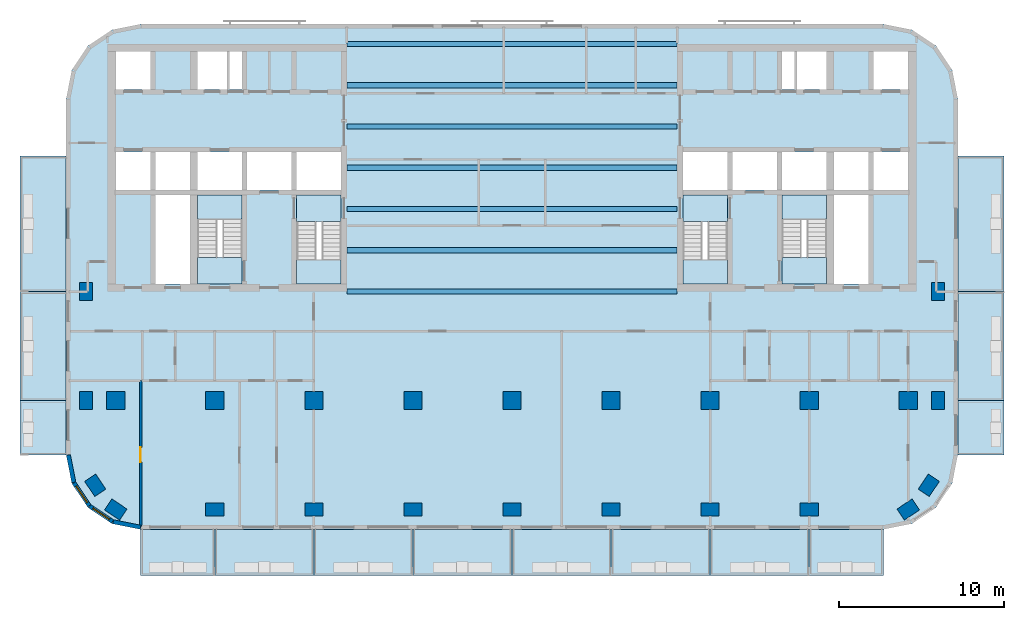
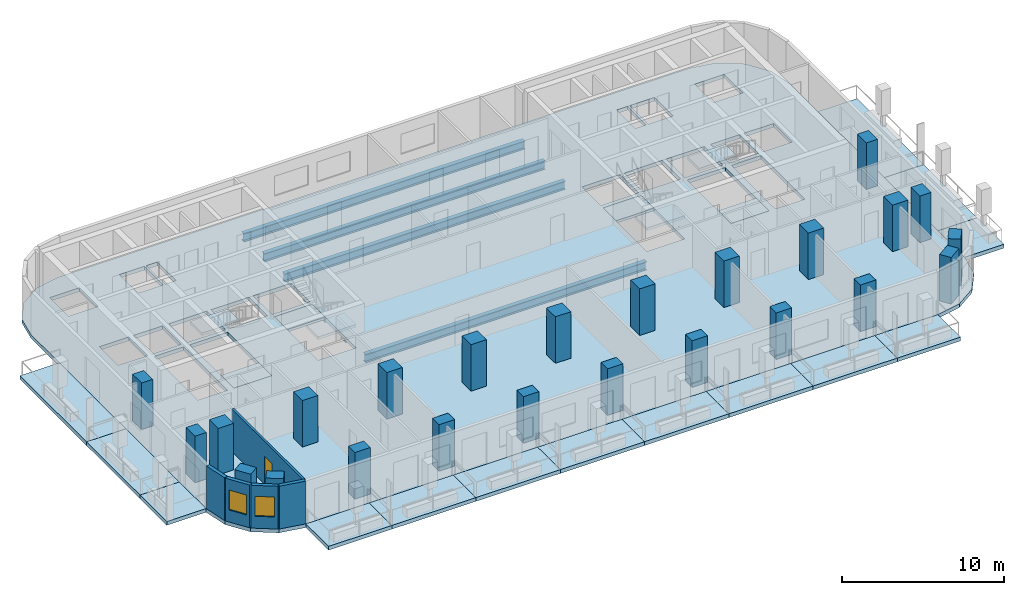
# One storey, part 1 of 11: 24 columns, 23 slabs, 7 beams, 5 walls, 2 windows, 1 door, 3 openings, 4 elements without a shape of their own.
"""IFC4 building model written with IfcOpenShell, lengths in metres."""

from ifc_helpers import new_model, si_unit, direction, frame, frame_2d, origin, origin_2d, place, context, subcontext, project, spatial, polyline, rectangle, i_section, outline, extrude, material, layer, layer_set, material_profile, profile_set, type_object, element, fill, aggregate, save


model = new_model("IFC4")

# Units and contexts
model_context = context("Model", 3, precision=1e-05, world=origin(), true_north=direction((0.0, 1.0)))
body_context = subcontext(model_context, "Body", "Model", "MODEL_VIEW")
ifc_project = project(units=[si_unit("LENGTHUNIT", "METRE"), si_unit("AREAUNIT", "SQUARE_METRE"), si_unit("VOLUMEUNIT", "CUBIC_METRE"), si_unit("PLANEANGLEUNIT", "RADIAN"), si_unit("MASSUNIT", "GRAM", prefix="KILO")], contexts=[model_context])

# Site, building, storey
site_placement = place(None, origin())
site = spatial("IfcSite", under=ifc_project, at=site_placement, CompositionType="ELEMENT")
building_placement = place(site_placement, origin())
building = spatial("IfcBuilding", under=site, at=building_placement, Name="Torana Hotel and Residences", CompositionType="ELEMENT")
storey_placement = place(building_placement, frame((0.0, 0.0, 211.60009765625)))
storey = spatial("IfcBuildingStorey", under=building, at=storey_placement, Name="L55", CompositionType="ELEMENT", Elevation=211.60009765625)

# Columns
ifc_material_1 = material(Name="Concrete C60/75", Category="concrete")
ifc_material_profile_1 = material_profile(ifc_material_1, rectangle(XDim=1.10009765625, YDim=1.10009765625, at=origin_2d()), Name="RC 1100x1100")
ifc_profile_set_1 = profile_set([ifc_material_profile_1], Name="Concrete C60/75")
column_type_1 = type_object("IfcColumnType", Name="COLUMN RC 1100x1100 C60/75", PredefinedType="COLUMN", material=ifc_profile_set_1)
for number, where, z_axis, x_axis, name in (
    (1, (-24.0, -21.60009765625, 0.0), (0.0, 0.0, 1.0), (1.0, 0.0, 0.0), "Column L55"),
    (2, (-18.0, -21.60009765625, 0.0), (0.0, 0.0, 1.0), (1.0, 0.0, 0.0), "Column L55"),
    (3, (-12.0, -21.60009765625, 0.0), (0.0, 0.0, 1.0), (1.0, 0.0, 0.0), "Column L55"),
    (4, (-6.0, -21.60009765625, 0.0), (0.0, 0.0, 1.0), (1.0, 0.0, 0.0), "Column L55"),
    (5, (0.0, -21.60009765625, 0.0), (0.0, 0.0, 1.0), (1.0, 0.0, 0.0), "Column L55"),
    (6, (6.0, -21.60009765625, 0.0), (0.0, 0.0, 1.0), (1.0, 0.0, 0.0), "Column L55"),
    (7, (12.0, -21.60009765625, 0.0), (0.0, 0.0, 1.0), (1.0, 0.0, 0.0), "Column L55"),
    (8, (18.0, -21.60009765625, 0.0), (0.0, 0.0, 1.0), (1.0, 0.0, 0.0), "Column L55"),
    (9, (24.0, -21.60009765625, 0.0), (0.0, 0.0, 1.0), (1.0, 0.0, 0.0), "Column L55"),
):
    element("IfcColumn", number, at=place(storey_placement, frame(where, z_axis=z_axis, x_axis=x_axis)), inside=storey, type_object=column_type_1, Name=name, PredefinedType="COLUMN", context=body_context, shape_type="SweptSolid", body=[
        extrude(rectangle(XDim=1.10009765625, YDim=1.10009765625, at=origin_2d()), origin(), (0.0, 0.0, 1.0), 3.5),
    ])
ifc_material_2 = material(Name="Concrete C60/75", Category="concrete")
ifc_material_profile_2 = material_profile(ifc_material_2, rectangle(XDim=1.10009765625, YDim=0.800048828125, at=origin_2d()), Name="RC 1100x800")
ifc_profile_set_2 = profile_set([ifc_material_profile_2], Name="Concrete C60/75")
column_type_2 = type_object("IfcColumnType", Name="COLUMN RC 1100x800 C60/75", PredefinedType="COLUMN", material=ifc_profile_set_2)
for number, where, z_axis, x_axis, name in (
    (10, (-25.800048828125, -21.60009765625, 0.0), (0.0, 0.0, 1.0), (0.0, 1.0, 0.0), "Column L55"),
    (11, (-25.800048828125, -15.0, 0.0), (0.0, 0.0, 1.0), (0.0, 1.0, 0.0), "Column L55"),
    (12, (-25.243896484375, -26.73291015625, 0.0), (0.0, 0.0, 1.0), (-0.555584744817, 0.831459915646, 0.0), "Column L55"),
    (13, (-24.0, -28.199951171875, 0.0), (0.0, 0.0, 1.0), (-0.831459915646, 0.555584744817, 0.0), "Column L55"),
    (14, (-18.0, -28.199951171875, 0.0), (0.0, 0.0, 1.0), (1.0, 0.0, 0.0), "Column L55"),
    (15, (-12.0, -28.199951171875, 0.0), (0.0, 0.0, 1.0), (1.0, 0.0, 0.0), "Column L55"),
    (16, (-6.0, -28.199951171875, 0.0), (0.0, 0.0, 1.0), (1.0, 0.0, 0.0), "Column L55"),
    (17, (0.0, -28.199951171875, 0.0), (0.0, 0.0, 1.0), (1.0, 0.0, 0.0), "Column L55"),
    (18, (6.0, -28.199951171875, 0.0), (0.0, 0.0, 1.0), (1.0, 0.0, 0.0), "Column L55"),
    (19, (12.0, -28.199951171875, 0.0), (0.0, 0.0, 1.0), (1.0, 0.0, 0.0), "Column L55"),
    (20, (18.0, -28.199951171875, 0.0), (0.0, 0.0, 1.0), (1.0, 0.0, 0.0), "Column L55"),
    (21, (24.0, -28.199951171875, 0.0), (0.0, 0.0, 1.0), (0.831459915646, 0.555584744817, 0.0), "Column L55"),
    (22, (25.243896484375, -26.73291015625, 0.0), (0.0, 0.0, 1.0), (0.555584744817, 0.831459915646, 0.0), "Column L55"),
    (23, (25.800048828125, -21.60009765625, 0.0), (0.0, 0.0, 1.0), (0.0, 1.0, 0.0), "Column L55"),
    (24, (25.800048828125, -15.0, 0.0), (0.0, 0.0, 1.0), (0.0, 1.0, 0.0), "Column L55"),
):
    element("IfcColumn", number, at=place(storey_placement, frame(where, z_axis=z_axis, x_axis=x_axis)), inside=storey, type_object=column_type_2, Name=name, PredefinedType="COLUMN", context=body_context, shape_type="SweptSolid", body=[
        extrude(rectangle(XDim=1.10009765625, YDim=0.800048828125, at=origin_2d()), origin(), (0.0, 0.0, 1.0), 3.5),
    ])

# Beams
ifc_material_3 = material(Name="Steel S355", Category="steel")
ifc_material_profile_3 = material_profile(ifc_material_3, i_section(OverallWidth=0.311279296875, OverallDepth=0.6357421875, WebThickness=0.018310546875, FlangeThickness=0.031494140625, FilletRadius=0.0166015625, at=origin_2d()), Name="610x305x238 UB")
ifc_profile_set_3 = profile_set([ifc_material_profile_3], Name="Steel S355")
beam_type = type_object("IfcBeamType", Name="STEEL GIRDER 610x305x238 UB", PredefinedType="BEAM", material=ifc_profile_set_3)
for number, where, z_axis, x_axis, name in (
    (25, (-10.0, -15.0, -0.597900390625), (1.0, 0.0, 0.0), (0.0, 1.0, 0.0), "Floor girder"),
    (26, (-10.0, -12.5, -0.597900390625), (1.0, 0.0, 0.0), (0.0, 1.0, 0.0), "Floor girder"),
    (27, (-10.0, -10.0, -0.597900390625), (1.0, 0.0, 0.0), (0.0, 1.0, 0.0), "Floor girder"),
    (28, (-10.0, -7.5, -0.597900390625), (1.0, 0.0, 0.0), (0.0, 1.0, 0.0), "Floor girder"),
    (29, (-10.0, -5.0, -0.597900390625), (1.0, 0.0, 0.0), (0.0, 1.0, 0.0), "Floor girder"),
    (30, (-10.0, -2.5, -0.597900390625), (1.0, 0.0, 0.0), (0.0, 1.0, 0.0), "Floor girder"),
    (31, (-10.0, 0.0, -0.597900390625), (1.0, 0.0, 0.0), (0.0, 1.0, 0.0), "Floor girder"),
):
    element("IfcBeam", number, at=place(storey_placement, frame(where, z_axis=z_axis, x_axis=x_axis)), inside=storey, type_object=beam_type, Name=name, PredefinedType="BEAM", context=body_context, shape_type="SweptSolid", body=[
        extrude(i_section(OverallWidth=0.311279296875, OverallDepth=0.6357421875, WebThickness=0.018310546875, FlangeThickness=0.031494140625, FilletRadius=0.0166015625, at=origin_2d()), origin(), (0.0, 0.0, 1.0), 20.0),
    ])

# Slabs
ifc_material_4 = material(Name="Concrete C40/50", Category="concrete")
ifc_layer_1 = layer(ifc_material_4, 0.280029296875)
ifc_layer_set_1 = layer_set([ifc_layer_1], Name="BAL1 BALCONY SLAB 280")
slab_type_1 = type_object("IfcSlabType", Name="BAL1 BALCONY SLAB 280", PredefinedType="USERDEFINED", material=ifc_layer_set_1)
slab_1_placement = place(storey_placement, frame((0.0, 0.0, -0.280029296875)))
element("IfcSlab", 32, at=slab_1_placement, inside=storey, type_object=slab_type_1, Name="Balcony 01", ObjectType="BALCONY", PredefinedType="USERDEFINED", context=body_context, shape_type="SweptSolid", body=[
    extrude(outline(polyline([(-22.5, -32.199951171875), (-18.0, -32.199951171875), (-18.0, -29.39990234375), (-22.5, -29.39990234375), (-22.5, -32.199951171875)])), origin(), (0.0, 0.0, 1.0), 0.280029296875),
])
slab_2_placement = place(storey_placement, frame((0.0, 0.0, -0.280029296875)))
element("IfcSlab", 33, at=slab_2_placement, inside=storey, type_object=slab_type_1, Name="Balcony 02", ObjectType="BALCONY", PredefinedType="USERDEFINED", context=body_context, shape_type="SweptSolid", body=[
    extrude(outline(polyline([(-18.0, -32.199951171875), (-12.0, -32.199951171875), (-12.0, -29.39990234375), (-18.0, -29.39990234375), (-18.0, -32.199951171875)])), origin(), (0.0, 0.0, 1.0), 0.280029296875),
])
slab_3_placement = place(storey_placement, frame((0.0, 0.0, -0.280029296875)))
element("IfcSlab", 34, at=slab_3_placement, inside=storey, type_object=slab_type_1, Name="Balcony 03", ObjectType="BALCONY", PredefinedType="USERDEFINED", context=body_context, shape_type="SweptSolid", body=[
    extrude(outline(polyline([(-12.0, -32.199951171875), (-6.0, -32.199951171875), (-6.0, -29.39990234375), (-12.0, -29.39990234375), (-12.0, -32.199951171875)])), origin(), (0.0, 0.0, 1.0), 0.280029296875),
])
slab_4_placement = place(storey_placement, frame((0.0, 0.0, -0.280029296875)))
element("IfcSlab", 35, at=slab_4_placement, inside=storey, type_object=slab_type_1, Name="Balcony 04", ObjectType="BALCONY", PredefinedType="USERDEFINED", context=body_context, shape_type="SweptSolid", body=[
    extrude(outline(polyline([(-6.0, -32.199951171875), (0.0, -32.199951171875), (0.0, -29.39990234375), (-6.0, -29.39990234375), (-6.0, -32.199951171875)])), origin(), (0.0, 0.0, 1.0), 0.280029296875),
])
slab_5_placement = place(storey_placement, frame((0.0, 0.0, -0.280029296875)))
element("IfcSlab", 36, at=slab_5_placement, inside=storey, type_object=slab_type_1, Name="Balcony 05", ObjectType="BALCONY", PredefinedType="USERDEFINED", context=body_context, shape_type="SweptSolid", body=[
    extrude(outline(polyline([(0.0, -32.199951171875), (6.0, -32.199951171875), (6.0, -29.39990234375), (0.0, -29.39990234375), (0.0, -32.199951171875)])), origin(), (0.0, 0.0, 1.0), 0.280029296875),
])
slab_6_placement = place(storey_placement, frame((0.0, 0.0, -0.280029296875)))
element("IfcSlab", 37, at=slab_6_placement, inside=storey, type_object=slab_type_1, Name="Balcony 06", ObjectType="BALCONY", PredefinedType="USERDEFINED", context=body_context, shape_type="SweptSolid", body=[
    extrude(outline(polyline([(6.0, -32.199951171875), (12.0, -32.199951171875), (12.0, -29.39990234375), (6.0, -29.39990234375), (6.0, -32.199951171875)])), origin(), (0.0, 0.0, 1.0), 0.280029296875),
])
slab_7_placement = place(storey_placement, frame((0.0, 0.0, -0.280029296875)))
element("IfcSlab", 38, at=slab_7_placement, inside=storey, type_object=slab_type_1, Name="Balcony 07", ObjectType="BALCONY", PredefinedType="USERDEFINED", context=body_context, shape_type="SweptSolid", body=[
    extrude(outline(polyline([(12.0, -32.199951171875), (18.0, -32.199951171875), (18.0, -29.39990234375), (12.0, -29.39990234375), (12.0, -32.199951171875)])), origin(), (0.0, 0.0, 1.0), 0.280029296875),
])
slab_8_placement = place(storey_placement, frame((0.0, 0.0, -0.280029296875)))
element("IfcSlab", 39, at=slab_8_placement, inside=storey, type_object=slab_type_1, Name="Balcony 08", ObjectType="BALCONY", PredefinedType="USERDEFINED", context=body_context, shape_type="SweptSolid", body=[
    extrude(outline(polyline([(18.0, -32.199951171875), (22.5, -32.199951171875), (22.5, -29.39990234375), (18.0, -29.39990234375), (18.0, -32.199951171875)])), origin(), (0.0, 0.0, 1.0), 0.280029296875),
])
slab_9_placement = place(storey_placement, frame((0.0, 0.0, -0.280029296875)))
element("IfcSlab", 40, at=slab_9_placement, inside=storey, type_object=slab_type_1, Name="Balcony 09", ObjectType="BALCONY", PredefinedType="USERDEFINED", context=body_context, shape_type="SweptSolid", body=[
    extrude(outline(polyline([(-29.800048828125, -24.89990234375), (-27.0, -24.89990234375), (-27.0, -21.60009765625), (-29.800048828125, -21.60009765625), (-29.800048828125, -24.89990234375)])), origin(), (0.0, 0.0, 1.0), 0.280029296875),
])
slab_10_placement = place(storey_placement, frame((0.0, 0.0, -0.280029296875)))
element("IfcSlab", 41, at=slab_10_placement, inside=storey, type_object=slab_type_1, Name="Balcony 10", ObjectType="BALCONY", PredefinedType="USERDEFINED", context=body_context, shape_type="SweptSolid", body=[
    extrude(outline(polyline([(-29.800048828125, -21.60009765625), (-27.0, -21.60009765625), (-27.0, -15.0), (-29.800048828125, -15.0), (-29.800048828125, -21.60009765625)])), origin(), (0.0, 0.0, 1.0), 0.280029296875),
])
slab_11_placement = place(storey_placement, frame((0.0, 0.0, -0.280029296875)))
element("IfcSlab", 42, at=slab_11_placement, inside=storey, type_object=slab_type_1, Name="Balcony 11", ObjectType="BALCONY", PredefinedType="USERDEFINED", context=body_context, shape_type="SweptSolid", body=[
    extrude(outline(polyline([(-29.800048828125, -15.0), (-27.0, -15.0), (-27.0, -6.800048828125), (-29.800048828125, -6.800048828125), (-29.800048828125, -15.0)])), origin(), (0.0, 0.0, 1.0), 0.280029296875),
])
slab_12_placement = place(storey_placement, frame((0.0, 0.0, -0.280029296875)))
element("IfcSlab", 43, at=slab_12_placement, inside=storey, type_object=slab_type_1, Name="Balcony 12", ObjectType="BALCONY", PredefinedType="USERDEFINED", context=body_context, shape_type="SweptSolid", body=[
    extrude(outline(polyline([(27.0, -24.89990234375), (29.800048828125, -24.89990234375), (29.800048828125, -21.60009765625), (27.0, -21.60009765625), (27.0, -24.89990234375)])), origin(), (0.0, 0.0, 1.0), 0.280029296875),
])
slab_13_placement = place(storey_placement, frame((0.0, 0.0, -0.280029296875)))
element("IfcSlab", 44, at=slab_13_placement, inside=storey, type_object=slab_type_1, Name="Balcony 13", ObjectType="BALCONY", PredefinedType="USERDEFINED", context=body_context, shape_type="SweptSolid", body=[
    extrude(outline(polyline([(27.0, -21.60009765625), (29.800048828125, -21.60009765625), (29.800048828125, -15.0), (27.0, -15.0), (27.0, -21.60009765625)])), origin(), (0.0, 0.0, 1.0), 0.280029296875),
])
slab_14_placement = place(storey_placement, frame((0.0, 0.0, -0.280029296875)))
element("IfcSlab", 45, at=slab_14_placement, inside=storey, type_object=slab_type_1, Name="Balcony 14", ObjectType="BALCONY", PredefinedType="USERDEFINED", context=body_context, shape_type="SweptSolid", body=[
    extrude(outline(polyline([(27.0, -15.0), (29.800048828125, -15.0), (29.800048828125, -6.800048828125), (27.0, -6.800048828125), (27.0, -15.0)])), origin(), (0.0, 0.0, 1.0), 0.280029296875),
])
ifc_material_5 = material(Name="Concrete C40/50", Category="concrete")
ifc_layer_2 = layer(ifc_material_5, 0.280029296875)
ifc_layer_set_2 = layer_set([ifc_layer_2], Name="FLOOR SLAB PT 280")
slab_type_2 = type_object("IfcSlabType", Name="FLOOR SLAB PT 280", PredefinedType="FLOOR", material=ifc_layer_set_2)
slab_15_placement = place(storey_placement, frame((0.0, 0.0, -0.280029296875)))
element("IfcSlab", 46, at=slab_15_placement, inside=storey, type_object=slab_type_2, Name="Floor slab", PredefinedType="FLOOR", context=body_context, shape_type="SweptSolid", body=[
    extrude(outline(polyline([(27.0, -3.300048828125), (26.657470703125, -1.577880859375), (25.681884765625, -0.117919921875), (24.22216796875, 0.857421875), (22.5, 1.199951171875), (-22.5, 1.199951171875), (-24.22216796875, 0.857421875), (-25.681884765625, -0.117919921875), (-26.657470703125, -1.577880859375), (-27.0, -3.300048828125), (-27.0, -24.89990234375), (-26.657470703125, -26.6220703125), (-25.681884765625, -28.08203125), (-24.22216796875, -29.0576171875), (-22.5, -29.39990234375), (22.5, -29.39990234375), (24.22216796875, -29.0576171875), (25.681884765625, -28.08203125), (26.657470703125, -26.6220703125), (27.0, -24.89990234375), (27.0, -3.300048828125)]), holes=[polyline([(-13.050048828125, -14.550048828125), (-10.35009765625, -14.550048828125), (-10.35009765625, -9.14990234375), (-13.050048828125, -9.14990234375), (-13.050048828125, -14.550048828125)]), polyline([(-19.050048828125, -14.550048828125), (-16.35009765625, -14.550048828125), (-16.35009765625, -9.14990234375), (-19.050048828125, -9.14990234375), (-19.050048828125, -14.550048828125)]), polyline([(-17.125, -2.75), (-16.35009765625, -2.75), (-16.35009765625, -0.449951171875), (-17.125, -0.449951171875), (-17.125, -2.75)]), polyline([(-19.050048828125, -2.75), (-17.27490234375, -2.75), (-17.27490234375, -0.449951171875), (-19.050048828125, -0.449951171875), (-19.050048828125, -2.75)]), polyline([(-21.60009765625, -8.85009765625), (-19.5, -8.85009765625), (-19.5, -6.550048828125), (-21.60009765625, -6.550048828125), (-21.60009765625, -8.85009765625)]), polyline([(-24.0, -2.75), (-21.89990234375, -2.75), (-21.89990234375, -0.449951171875), (-24.0, -0.449951171875), (-24.0, -2.75)]), polyline([(-24.0, -8.85009765625), (-21.89990234375, -8.85009765625), (-21.89990234375, -6.550048828125), (-24.0, -6.550048828125), (-24.0, -8.85009765625)]), polyline([(-13.050048828125, -8.85009765625), (-10.35009765625, -8.85009765625), (-10.35009765625, -6.550048828125), (-13.050048828125, -6.550048828125), (-13.050048828125, -8.85009765625)]), polyline([(-16.050048828125, -8.85009765625), (-13.35009765625, -8.85009765625), (-13.35009765625, -6.550048828125), (-16.050048828125, -6.550048828125), (-16.050048828125, -8.85009765625)]), polyline([(-19.050048828125, -8.85009765625), (-16.35009765625, -8.85009765625), (-16.35009765625, -6.550048828125), (-19.050048828125, -6.550048828125), (-19.050048828125, -8.85009765625)]), polyline([(-21.60009765625, -14.550048828125), (-19.5, -14.550048828125), (-19.5, -9.14990234375), (-21.60009765625, -9.14990234375), (-21.60009765625, -14.550048828125)]), polyline([(10.35009765625, -14.550048828125), (13.050048828125, -14.550048828125), (13.050048828125, -9.14990234375), (10.35009765625, -9.14990234375), (10.35009765625, -14.550048828125)]), polyline([(16.35009765625, -14.550048828125), (19.050048828125, -14.550048828125), (19.050048828125, -9.14990234375), (16.35009765625, -9.14990234375), (16.35009765625, -14.550048828125)]), polyline([(16.35009765625, -2.75), (17.125, -2.75), (17.125, -0.449951171875), (16.35009765625, -0.449951171875), (16.35009765625, -2.75)]), polyline([(17.27490234375, -2.75), (19.050048828125, -2.75), (19.050048828125, -0.449951171875), (17.27490234375, -0.449951171875), (17.27490234375, -2.75)]), polyline([(19.5, -8.85009765625), (21.60009765625, -8.85009765625), (21.60009765625, -6.550048828125), (19.5, -6.550048828125), (19.5, -8.85009765625)]), polyline([(21.89990234375, -2.75), (24.0, -2.75), (24.0, -0.449951171875), (21.89990234375, -0.449951171875), (21.89990234375, -2.75)]), polyline([(21.89990234375, -8.85009765625), (24.0, -8.85009765625), (24.0, -6.550048828125), (21.89990234375, -6.550048828125), (21.89990234375, -8.85009765625)]), polyline([(10.35009765625, -8.85009765625), (13.050048828125, -8.85009765625), (13.050048828125, -6.550048828125), (10.35009765625, -6.550048828125), (10.35009765625, -8.85009765625)]), polyline([(13.35009765625, -8.85009765625), (16.050048828125, -8.85009765625), (16.050048828125, -6.550048828125), (13.35009765625, -6.550048828125), (13.35009765625, -8.85009765625)]), polyline([(16.35009765625, -8.85009765625), (19.050048828125, -8.85009765625), (19.050048828125, -6.550048828125), (16.35009765625, -6.550048828125), (16.35009765625, -8.85009765625)]), polyline([(19.5, -14.550048828125), (21.60009765625, -14.550048828125), (21.60009765625, -9.14990234375), (19.5, -9.14990234375), (19.5, -14.550048828125)])]), origin(), (0.0, 0.0, 1.0), 0.280029296875),
])

# Stair, slabs
ifc_material_6 = material(Name="Concrete C40/50 precast", Category="concrete")
stair_type_1 = type_object("IfcStairType", Name="STAIR ST1 HALF TURN 1200", PredefinedType="HALF_TURN_STAIR", material=ifc_material_6)
stair_1_placement = place(storey_placement, origin())
stair_1 = element("IfcStair", 47, at=stair_1_placement, inside=storey, type_object=stair_type_1, Name="Stair ST1 L55", PredefinedType="HALF_TURN_STAIR")
ifc_material_7 = material(Name="Concrete C40/50 precast", Category="concrete")
ifc_layer_3 = layer(ifc_material_7, 0.199951171875)
ifc_layer_set_3 = layer_set([ifc_layer_3], Name="STAIR LANDING 200")
slab_type_3 = type_object("IfcSlabType", Name="STAIR LANDING 200", PredefinedType="LANDING", material=ifc_layer_set_3)
slab_16_placement = place(storey_placement, frame((0.0, 0.0, 1.5498046875)))
slab_16 = element("IfcSlab", 48, at=slab_16_placement, type_object=slab_type_3, Name="ST1 landing 1", PredefinedType="LANDING", context=body_context, shape_type="SweptSolid", body=[
    extrude(outline(polyline([(-13.050048828125, -14.550048828125), (-10.35009765625, -14.550048828125), (-10.35009765625, -13.090087890625), (-13.050048828125, -13.090087890625), (-13.050048828125, -14.550048828125)])), origin(), (0.0, 0.0, 1.0), 0.2001953125),
])
slab_17_placement = place(storey_placement, frame((0.0, 0.0, -0.2001953125)))
slab_17 = element("IfcSlab", 49, at=slab_17_placement, type_object=slab_type_3, Name="ST1 landing 2", PredefinedType="LANDING", context=body_context, shape_type="SweptSolid", body=[
    extrude(outline(polyline([(-13.050048828125, -10.75), (-10.35009765625, -10.75), (-10.35009765625, -9.14990234375), (-13.050048828125, -9.14990234375), (-13.050048828125, -10.75)])), origin(), (0.0, 0.0, 1.0), 0.2001953125),
])
aggregate(stair_1, [slab_16, slab_17])

ifc_material_8 = material(Name="Concrete C40/50 precast", Category="concrete")
stair_type_2 = type_object("IfcStairType", Name="STAIR ST2 HALF TURN 1200", PredefinedType="HALF_TURN_STAIR", material=ifc_material_8)
stair_2_placement = place(storey_placement, origin())
stair_2 = element("IfcStair", 50, at=stair_2_placement, inside=storey, type_object=stair_type_2, Name="Stair ST2 L55", PredefinedType="HALF_TURN_STAIR")
slab_18_placement = place(storey_placement, frame((0.0, 0.0, 1.5498046875)))
slab_18 = element("IfcSlab", 51, at=slab_18_placement, type_object=slab_type_3, Name="ST2 landing 1", PredefinedType="LANDING", context=body_context, shape_type="SweptSolid", body=[
    extrude(outline(polyline([(-19.050048828125, -10.610107421875), (-16.35009765625, -10.610107421875), (-16.35009765625, -9.14990234375), (-19.050048828125, -9.14990234375), (-19.050048828125, -10.610107421875)])), origin(), (0.0, 0.0, 1.0), 0.2001953125),
])
slab_19_placement = place(storey_placement, frame((0.0, 0.0, -0.2001953125)))
slab_19 = element("IfcSlab", 52, at=slab_19_placement, type_object=slab_type_3, Name="ST2 landing 2", PredefinedType="LANDING", context=body_context, shape_type="SweptSolid", body=[
    extrude(outline(polyline([(-19.050048828125, -14.550048828125), (-16.35009765625, -14.550048828125), (-16.35009765625, -12.949951171875), (-19.050048828125, -12.949951171875), (-19.050048828125, -14.550048828125)])), origin(), (0.0, 0.0, 1.0), 0.2001953125),
])
aggregate(stair_2, [slab_18, slab_19])

ifc_material_9 = material(Name="Concrete C40/50 precast", Category="concrete")
stair_type_3 = type_object("IfcStairType", Name="STAIR ST3 HALF TURN 1200", PredefinedType="HALF_TURN_STAIR", material=ifc_material_9)
stair_3_placement = place(storey_placement, origin())
stair_3 = element("IfcStair", 53, at=stair_3_placement, inside=storey, type_object=stair_type_3, Name="Stair ST3 L55", PredefinedType="HALF_TURN_STAIR")
slab_20_placement = place(storey_placement, frame((0.0, 0.0, 1.5498046875)))
slab_20 = element("IfcSlab", 54, at=slab_20_placement, type_object=slab_type_3, Name="ST3 landing 1", PredefinedType="LANDING", context=body_context, shape_type="SweptSolid", body=[
    extrude(outline(polyline([(10.35009765625, -14.550048828125), (13.050048828125, -14.550048828125), (13.050048828125, -13.090087890625), (10.35009765625, -13.090087890625), (10.35009765625, -14.550048828125)])), origin(), (0.0, 0.0, 1.0), 0.2001953125),
])
slab_21_placement = place(storey_placement, frame((0.0, 0.0, -0.2001953125)))
slab_21 = element("IfcSlab", 55, at=slab_21_placement, type_object=slab_type_3, Name="ST3 landing 2", PredefinedType="LANDING", context=body_context, shape_type="SweptSolid", body=[
    extrude(outline(polyline([(10.35009765625, -10.75), (13.050048828125, -10.75), (13.050048828125, -9.14990234375), (10.35009765625, -9.14990234375), (10.35009765625, -10.75)])), origin(), (0.0, 0.0, 1.0), 0.2001953125),
])
aggregate(stair_3, [slab_20, slab_21])

ifc_material_10 = material(Name="Concrete C40/50 precast", Category="concrete")
stair_type_4 = type_object("IfcStairType", Name="STAIR ST4 HALF TURN 1200", PredefinedType="HALF_TURN_STAIR", material=ifc_material_10)
stair_4_placement = place(storey_placement, origin())
stair_4 = element("IfcStair", 56, at=stair_4_placement, inside=storey, type_object=stair_type_4, Name="Stair ST4 L55", PredefinedType="HALF_TURN_STAIR")
slab_22_placement = place(storey_placement, frame((0.0, 0.0, 1.5498046875)))
slab_22 = element("IfcSlab", 57, at=slab_22_placement, type_object=slab_type_3, Name="ST4 landing 1", PredefinedType="LANDING", context=body_context, shape_type="SweptSolid", body=[
    extrude(outline(polyline([(16.35009765625, -10.610107421875), (19.050048828125, -10.610107421875), (19.050048828125, -9.14990234375), (16.35009765625, -9.14990234375), (16.35009765625, -10.610107421875)])), origin(), (0.0, 0.0, 1.0), 0.2001953125),
])
slab_23_placement = place(storey_placement, frame((0.0, 0.0, -0.2001953125)))
slab_23 = element("IfcSlab", 58, at=slab_23_placement, type_object=slab_type_3, Name="ST4 landing 2", PredefinedType="LANDING", context=body_context, shape_type="SweptSolid", body=[
    extrude(outline(polyline([(16.35009765625, -14.550048828125), (19.050048828125, -14.550048828125), (19.050048828125, -12.949951171875), (16.35009765625, -12.949951171875), (16.35009765625, -14.550048828125)])), origin(), (0.0, 0.0, 1.0), 0.2001953125),
])
aggregate(stair_4, [slab_22, slab_23])

# Wall
ifc_material_11 = material(Name="Black aluminium composite panel", Category="aluminium")
ifc_layer_4 = layer(ifc_material_11, 0.00390625, Name="Cladding", Category="cladding")
ifc_material_12 = material(Name="Ventilated air cavity")
ifc_layer_5 = layer(ifc_material_12, 0.0400390625, Name="Ventilated cavity", Category="cavity")
ifc_material_13 = material(Name="Mineral wool insulation")
ifc_layer_6 = layer(ifc_material_13, 0.090087890625, Name="Insulation", Category="insulation")
ifc_material_14 = material(Name="Steel S280GD", Category="steel")
ifc_layer_7 = layer(ifc_material_14, 0.092041015625, Name="Steel stud frame", Category="structure")
ifc_material_15 = material(Name="Fire rated plasterboard")
ifc_layer_8 = layer(ifc_material_15, 0.011962890625, Name="Inner board", Category="finish")
ifc_layer_9 = layer(ifc_material_15, 0.011962890625, Name="Second board", Category="finish")
ifc_layer_set_4 = layer_set([ifc_layer_4, ifc_layer_5, ifc_layer_6, ifc_layer_7, ifc_layer_8, ifc_layer_9], Name="EW1 EXTERNAL WALL BLACK METAL CLAD 250")
wall_type_1 = type_object("IfcWallType", Name="EW1 EXTERNAL WALL BLACK METAL CLAD 250", PredefinedType="SOLIDWALL", material=ifc_layer_set_4)
wall_1_placement = place(storey_placement, frame((-26.87255859375, -24.89990234375, 0.0), z_axis=(0.0, 0.0, 1.0), x_axis=(0.195026884138, -0.980797896849, 0.0)))
element("IfcWall", 59, at=wall_1_placement, inside=storey, type_object=wall_type_1, Name="External wall L55 e0.10", PredefinedType="SOLIDWALL", context=body_context, shape_type="SweptSolid", body=[
    extrude(rectangle(XDim=1.68115234375, YDim=0.25, at=frame_2d((0.840576171875, 0.0))), origin(), (0.0, 0.0, 1.0), 3.219970703125),
])

# Wall, opening, window
wall_2_placement = place(storey_placement, frame((-26.52587890625, -26.593994140625, 0.0), z_axis=(0.0, 0.0, 1.0), x_axis=(0.55555029066, -0.831482937015, 0.0)))
wall_2 = element("IfcWall", 60, at=wall_2_placement, inside=storey, type_object=wall_type_1, Name="External wall L55 e0.11", PredefinedType="SOLIDWALL", context=body_context, shape_type="SweptSolid", body=[
    extrude(rectangle(XDim=1.65625, YDim=0.25, at=frame_2d((0.828125, 0.0))), origin(), (0.0, 0.0, 1.0), 3.219970703125),
])
opening_1_placement = place(wall_2_placement, frame((0.228271484375, 0.0, 0.89990234375)))
opening_1 = element("IfcOpeningElement", 61, at=opening_1_placement, cuts=wall_2, Name="Opening W5", PredefinedType="OPENING", context=body_context, shape_type="SweptSolid", body=[
    extrude(rectangle(XDim=1.199951171875, YDim=1.5, at=frame_2d((0.60009765625, 0.75))), frame((0.0, 0.135009765625, 0.0), z_axis=(0.0, -1.0, 0.0), x_axis=(1.0, 0.0, 0.0)), (0.0, 0.0, 1.0), 0.27001953125),
])
ifc_material_16 = material(Name="Dark glass in black aluminium frame", Category="aluminium")
window_type = type_object("IfcWindowType", Name="W5 CORNER FACET WINDOW 1200x1500", PartitioningType="SINGLE_PANEL", PredefinedType="WINDOW", material=ifc_material_16)
window_1_placement = place(opening_1_placement, origin())
window_1 = element("IfcWindow", 62, at=window_1_placement, inside=storey, type_object=window_type, Name="Window L55 e0.11", OverallHeight=1.5, OverallWidth=1.199951171875, PartitioningType="SINGLE_PANEL", PredefinedType="WINDOW", context=body_context, shape_type="SweptSolid", body=[
    extrude(rectangle(XDim=1.199951171875, YDim=1.5, at=frame_2d((0.60009765625, 0.75))), frame((0.0, 0.030029296875, 0.0), z_axis=(0.0, -1.0, 0.0), x_axis=(1.0, 0.0, 0.0)), (0.0, 0.0, 1.0), 0.06005859375),
])
fill(opening_1, window_1)

wall_3_placement = place(storey_placement, frame((-25.5712890625, -28.005615234375, 0.0), z_axis=(0.0, 0.0, 1.0), x_axis=(0.831482937015, -0.55555029066, 0.0)))
wall_3 = element("IfcWall", 63, at=wall_3_placement, inside=storey, type_object=wall_type_1, Name="External wall L55 e0.12", PredefinedType="SOLIDWALL", context=body_context, shape_type="SweptSolid", body=[
    extrude(rectangle(XDim=1.65625, YDim=0.25, at=frame_2d((0.828125, 0.0))), origin(), (0.0, 0.0, 1.0), 3.219970703125),
])
opening_2_placement = place(wall_3_placement, frame((0.228271484375, 0.0, 0.89990234375)))
opening_2 = element("IfcOpeningElement", 64, at=opening_2_placement, cuts=wall_3, Name="Opening W5", PredefinedType="OPENING", context=body_context, shape_type="SweptSolid", body=[
    extrude(rectangle(XDim=1.199951171875, YDim=1.5, at=frame_2d((0.60009765625, 0.75))), frame((0.0, 0.135009765625, 0.0), z_axis=(0.0, -1.0, 0.0), x_axis=(1.0, 0.0, 0.0)), (0.0, 0.0, 1.0), 0.27001953125),
])
window_2_placement = place(opening_2_placement, origin())
window_2 = element("IfcWindow", 65, at=window_2_placement, inside=storey, type_object=window_type, Name="Window L55 e0.12", OverallHeight=1.5, OverallWidth=1.199951171875, PartitioningType="SINGLE_PANEL", PredefinedType="WINDOW", context=body_context, shape_type="SweptSolid", body=[
    extrude(rectangle(XDim=1.199951171875, YDim=1.5, at=frame_2d((0.60009765625, 0.75))), frame((0.0, 0.030029296875, 0.0), z_axis=(0.0, -1.0, 0.0), x_axis=(1.0, 0.0, 0.0)), (0.0, 0.0, 1.0), 0.06005859375),
])
fill(opening_2, window_2)

# Wall
wall_4_placement = place(storey_placement, frame((-24.14892578125, -28.944580078125, 0.0), z_axis=(0.0, 0.0, 1.0), x_axis=(0.980775640221, -0.19513878023, 0.0)))
element("IfcWall", 66, at=wall_4_placement, inside=storey, type_object=wall_type_1, Name="External wall L55 e0.13", PredefinedType="SOLIDWALL", context=body_context, shape_type="SweptSolid", body=[
    extrude(rectangle(XDim=1.681396484375, YDim=0.25, at=frame_2d((0.8408203125, 0.0))), origin(), (0.0, 0.0, 1.0), 3.219970703125),
])

# Wall, opening, door
ifc_material_17 = material(Name="Gypsum plasterboard")
ifc_layer_10 = layer(ifc_material_17, 0.012451171875, Name="Plasterboard", Category="finish")
ifc_layer_11 = layer(ifc_material_17, 0.012451171875, Name="Plasterboard", Category="finish")
ifc_layer_12 = layer(ifc_material_14, 0.10009765625, Name="Steel studs with mineral wool", Category="insulation")
ifc_layer_13 = layer(ifc_material_17, 0.012451171875, Name="Plasterboard", Category="finish")
ifc_layer_14 = layer(ifc_material_17, 0.012451171875, Name="Plasterboard", Category="finish")
ifc_layer_set_5 = layer_set([ifc_layer_10, ifc_layer_11, ifc_layer_12, ifc_layer_13, ifc_layer_14], Name="PARTITION 150 PLASTERBOARD")
wall_type_2 = type_object("IfcWallType", Name="PARTITION 150 PLASTERBOARD", PredefinedType="PARTITIONING", material=ifc_layer_set_5)
wall_5_placement = place(storey_placement, frame((-22.5, -29.216552734375, 0.0), z_axis=(0.0, 0.0, 1.0), x_axis=(0.0, 1.0, 0.0)))
wall_5 = element("IfcWall", 67, at=wall_5_placement, inside=storey, type_object=wall_type_2, Name="Partition L55", PredefinedType="PARTITIONING", context=body_context, shape_type="SweptSolid", body=[
    extrude(rectangle(XDim=8.816650390625, YDim=0.14990234375, at=frame_2d((4.408203125, 0.0))), origin(), (0.0, 0.0, 1.0), 3.219970703125),
])
opening_3_placement = place(wall_5_placement, frame((3.886474609375, 0.0, 0.0)))
opening_3 = element("IfcOpeningElement", 68, at=opening_3_placement, cuts=wall_5, Name="Opening L55-58", PredefinedType="OPENING", context=body_context, shape_type="SweptSolid", body=[
    extrude(rectangle(XDim=0.89990234375, YDim=2.10009765625, at=frame_2d((0.449951171875, 1.050048828125))), frame((0.0, 0.0849609375, 0.0), z_axis=(0.0, -1.0, 0.0), x_axis=(1.0, 0.0, 0.0)), (0.0, 0.0, 1.0), 0.169921875),
])
ifc_material_18 = material(Name="Timber door, oiled ash", Category="wood")
door_type = type_object("IfcDoorType", Name="ROOM DOOR D7 900x2100", OperationType="SINGLE_SWING_LEFT", PredefinedType="DOOR", material=ifc_material_18)
door_placement = place(opening_3_placement, origin())
door = element("IfcDoor", 69, at=door_placement, inside=storey, type_object=door_type, Name="Door L55", OperationType="SINGLE_SWING_RIGHT", OverallHeight=2.10009765625, OverallWidth=0.89990234375, PredefinedType="DOOR", context=body_context, shape_type="SweptSolid", body=[
    extrude(rectangle(XDim=0.89990234375, YDim=2.10009765625, at=frame_2d((0.449951171875, 1.050048828125))), frame((0.0, 0.02490234375, 0.0), z_axis=(0.0, -1.0, 0.0), x_axis=(1.0, 0.0, 0.0)), (0.0, 0.0, 1.0), 0.050048828125),
])
fill(opening_3, door)

save(model, "model.ifc")
